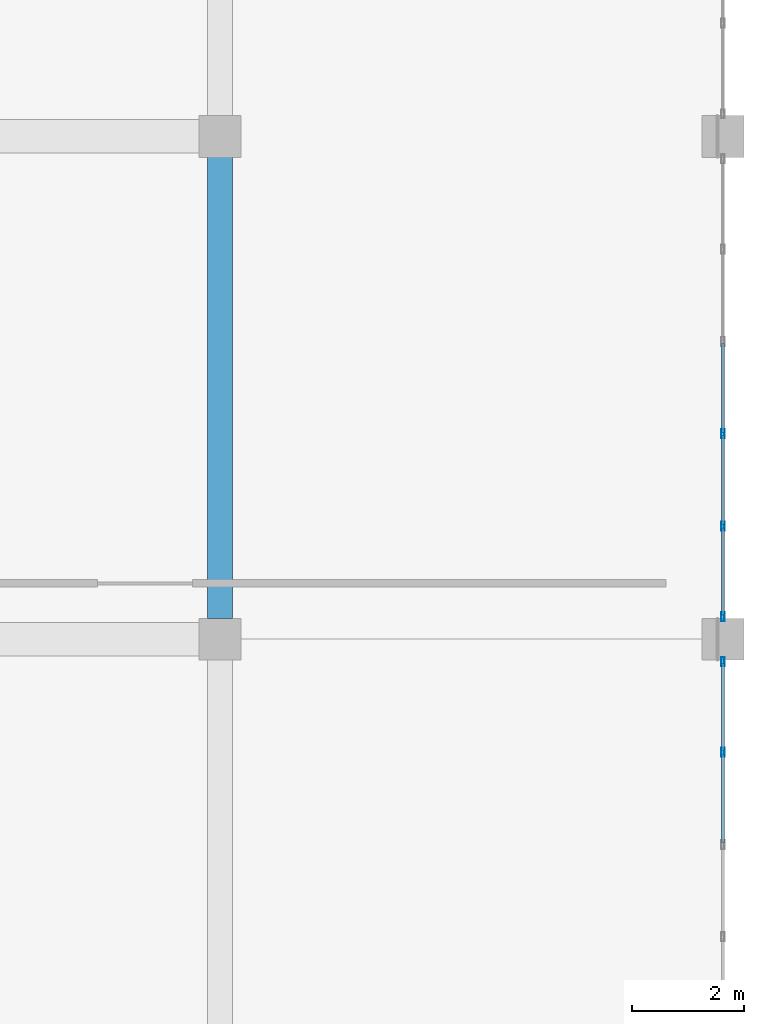
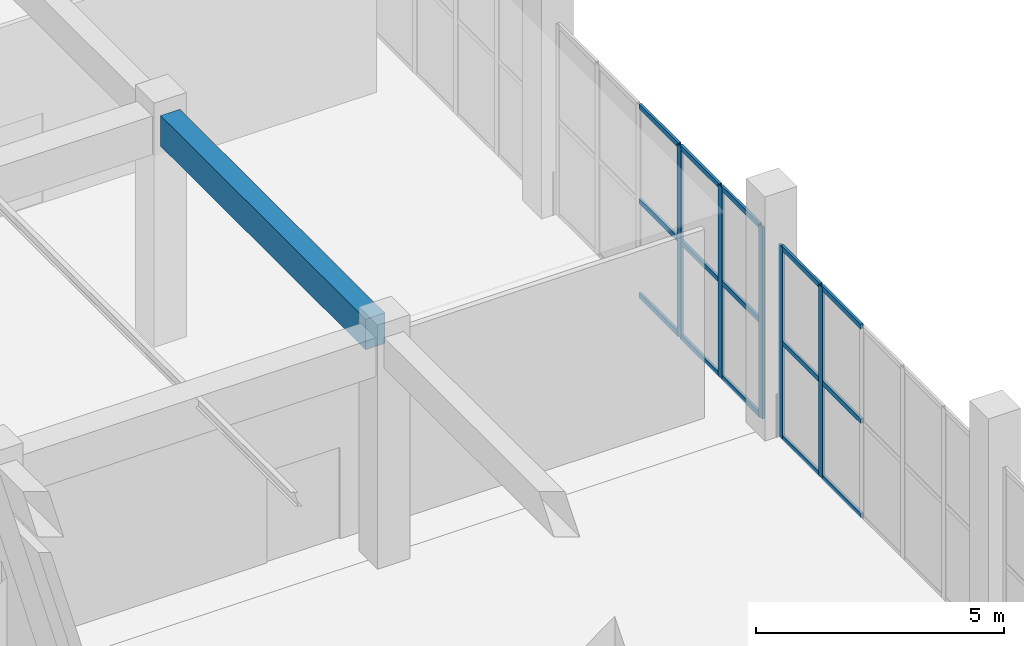
# One storey, part 71 of 223: 20 members, 1 beam, 2 elements without a shape of their own.
"""IFC4 building model written with IfcOpenShell, lengths in metres."""

from ifc_helpers import new_model, si_unit, direction, frame, origin, origin_2d, place, context, subcontext, project, spatial, rectangle, hollow_rectangle, extrude, material, layer, layer_set, material_profile, profile_set, type_object, element, aggregate, save


model = new_model("IFC4")

# Units and contexts
model_context = context("Model", 3, precision=1e-05, world=origin(), true_north=direction((0.0, 1.0)))
body_context = subcontext(model_context, "Body", "Model", "MODEL_VIEW")
ifc_project = project(units=[si_unit("LENGTHUNIT", "METRE"), si_unit("AREAUNIT", "SQUARE_METRE"), si_unit("VOLUMEUNIT", "CUBIC_METRE"), si_unit("PLANEANGLEUNIT", "RADIAN"), si_unit("MASSUNIT", "GRAM", prefix="KILO")], contexts=[model_context])

# Site, building, storey
site_placement = place(None, origin())
site = spatial("IfcSite", under=ifc_project, at=site_placement, CompositionType="ELEMENT")
building_placement = place(site_placement, origin())
building = spatial("IfcBuilding", under=site, at=building_placement, Name="Dornveld Trade and Exhibition Forum", CompositionType="ELEMENT")
storey_placement = place(building_placement, frame((0.0, 0.0, 6.0)))
storey = spatial("IfcBuildingStorey", under=building, at=storey_placement, Name="L01", CompositionType="ELEMENT", Elevation=6.0)

# Beam
ifc_material_1 = material(Name="Precast concrete C50/60", Category="concrete")
ifc_material_profile_1 = material_profile(ifc_material_1, rectangle(XDim=0.449951171875, YDim=0.75, at=origin_2d()), Name="PC-BM 450x750")
ifc_profile_set_1 = profile_set([ifc_material_profile_1], Name="Precast concrete C50/60")
beam_type = type_object("IfcBeamType", Name="BM-PC-450x750", PredefinedType="BEAM", material=ifc_profile_set_1)
beam_placement = place(storey_placement, frame((225.0, 27.37109375, 5.264892578125), z_axis=(0.0, 1.0, 0.0), x_axis=(-1.0, 0.0, 0.0)))
element("IfcBeam", 1, at=beam_placement, inside=storey, type_object=beam_type, Name="L01 Y-girder 1316", PredefinedType="BEAM", context=body_context, shape_type="SweptSolid", body=[
    extrude(rectangle(XDim=0.449951171875, YDim=0.75, at=origin_2d()), origin(), (0.0, 0.0, 1.0), 8.2578125),
])

# Curtain wall, members
ifc_material_2 = material(Name="Dark-bronze anodised aluminium and low-E glass", Category="aluminium")
ifc_layer_1 = layer(ifc_material_2, 0.196044921875)
ifc_layer_set_1 = layer_set([ifc_layer_1], Name="Dark-bronze anodised aluminium and low-E glass")
curtain_wall_type_1 = type_object("IfcCurtainWallType", Name="CW-SYS-18", PredefinedType="USERDEFINED", material=ifc_layer_set_1)
curtain_wall_1_placement = place(storey_placement, origin())
curtain_wall_1 = element("IfcCurtainWall", 2, at=curtain_wall_1_placement, inside=storey, type_object=curtain_wall_type_1, Name="L01 unitised curtain wall 72", ObjectType="UNITISED_CURTAIN_WALL", PredefinedType="USERDEFINED")
ifc_material_3 = material(Name="Dark-bronze anodised aluminium", Category="aluminium")
ifc_material_profile_2 = material_profile(ifc_material_3, hollow_rectangle(XDim=0.06005859375, YDim=0.159912109375, WallThickness=0.00390625, at=origin_2d()), Name="RHS 160x60x4")
ifc_profile_set_2 = profile_set([ifc_material_profile_2], Name="Dark-bronze anodised aluminium")
member_type_1 = type_object("IfcMemberType", Name="CW-MUL-160", PredefinedType="MULLION", material=ifc_profile_set_2)
member_1_placement = place(storey_placement, frame((234.0, 24.977294921875, -0.00390625), z_axis=(0.0, 0.0, 1.0), x_axis=(-1.0, 0.0, 0.0)))
member_1 = element("IfcMember", 3, at=member_1_placement, type_object=member_type_1, Name="CW-18 mullion 5", PredefinedType="MULLION", context=body_context, shape_type="SweptSolid", body=[
    extrude(hollow_rectangle(XDim=0.06005859375, YDim=0.159912109375, WallThickness=0.00390625, at=origin_2d()), origin(), (0.0, 0.0, 1.0), 4.703857421875),
])
member_2_placement = place(storey_placement, frame((234.0, 26.59912109375, -0.00390625), z_axis=(0.0, 0.0, 1.0), x_axis=(-1.0, 0.0, 0.0)))
member_2 = element("IfcMember", 4, at=member_2_placement, type_object=member_type_1, Name="CW-18 mullion 6", PredefinedType="MULLION", context=body_context, shape_type="SweptSolid", body=[
    extrude(hollow_rectangle(XDim=0.06005859375, YDim=0.159912109375, WallThickness=0.00390625, at=origin_2d()), origin(), (0.0, 0.0, 1.0), 4.703857421875),
])

ifc_material_4 = material(Name="Dark-bronze anodised aluminium and low-E glass", Category="aluminium")
ifc_layer_2 = layer(ifc_material_4, 0.14501953125)
ifc_layer_set_2 = layer_set([ifc_layer_2], Name="Dark-bronze anodised aluminium and low-E glass")
curtain_wall_type_2 = type_object("IfcCurtainWallType", Name="CW-SYS-01", PredefinedType="USERDEFINED", material=ifc_layer_set_2)
curtain_wall_2_placement = place(storey_placement, origin())
curtain_wall_2 = element("IfcCurtainWall", 5, at=curtain_wall_2_placement, inside=storey, type_object=curtain_wall_type_2, Name="L01 unitised curtain wall 73", ObjectType="UNITISED_CURTAIN_WALL", PredefinedType="USERDEFINED")
member_3_placement = place(storey_placement, frame((234.0, 27.40087890625, -0.00390625), z_axis=(0.0, 0.0, 1.0), x_axis=(-1.0, 0.0, 0.0)))
member_3 = element("IfcMember", 6, at=member_3_placement, type_object=member_type_1, Name="CW-01 mullion 1", PredefinedType="MULLION", context=body_context, shape_type="SweptSolid", body=[
    extrude(hollow_rectangle(XDim=0.06005859375, YDim=0.159912109375, WallThickness=0.00390625, at=origin_2d()), origin(), (0.0, 0.0, 1.0), 4.703857421875),
])
member_4_placement = place(storey_placement, frame((234.0, 29.022705078125, -0.00390625), z_axis=(0.0, 0.0, 1.0), x_axis=(-1.0, 0.0, 0.0)))
member_4 = element("IfcMember", 7, at=member_4_placement, type_object=member_type_1, Name="CW-01 mullion 2", PredefinedType="MULLION", context=body_context, shape_type="SweptSolid", body=[
    extrude(hollow_rectangle(XDim=0.06005859375, YDim=0.159912109375, WallThickness=0.00390625, at=origin_2d()), origin(), (0.0, 0.0, 1.0), 4.703857421875),
])
member_5_placement = place(storey_placement, frame((234.0, 30.67431640625, -0.00390625), z_axis=(0.0, 0.0, 1.0), x_axis=(-1.0, 0.0, 0.0)))
member_5 = element("IfcMember", 8, at=member_5_placement, type_object=member_type_1, Name="CW-01 mullion 3", PredefinedType="MULLION", context=body_context, shape_type="SweptSolid", body=[
    extrude(hollow_rectangle(XDim=0.06005859375, YDim=0.159912109375, WallThickness=0.00390625, at=origin_2d()), origin(), (0.0, 0.0, 1.0), 4.703857421875),
])

# Member
ifc_material_5 = material(Name="Dark-bronze anodised aluminium", Category="aluminium")
ifc_material_profile_3 = material_profile(ifc_material_5, hollow_rectangle(XDim=0.06005859375, YDim=0.1201171875, WallThickness=0.00390625, at=origin_2d()), Name="RHS 120x60x4")
ifc_profile_set_3 = profile_set([ifc_material_profile_3], Name="Dark-bronze anodised aluminium")
member_type_2 = type_object("IfcMemberType", Name="CW-TRN-120", PredefinedType="USERDEFINED", material=ifc_profile_set_3)
member_6_placement = place(storey_placement, frame((234.0, 23.355712890625, 0.02587890625), z_axis=(0.0, 1.0, 0.0), x_axis=(-1.0, 0.0, 0.0)))
member_6 = element("IfcMember", 9, at=member_6_placement, type_object=member_type_2, Name="CW-18 transom 4.1", ObjectType="TRANSOM", PredefinedType="USERDEFINED", context=body_context, shape_type="SweptSolid", body=[
    extrude(hollow_rectangle(XDim=0.06005859375, YDim=0.1201171875, WallThickness=0.00390625, at=origin_2d()), origin(), (0.0, 0.0, 1.0), 1.591796875),
])

member_7_placement = place(storey_placement, frame((234.0, 23.355712890625, 2.347900390625), z_axis=(0.0, 1.0, 0.0), x_axis=(-1.0, 0.0, 0.0)))
member_7 = element("IfcMember", 10, at=member_7_placement, type_object=member_type_2, Name="CW-18 transom 4.2", ObjectType="TRANSOM", PredefinedType="USERDEFINED", context=body_context, shape_type="SweptSolid", body=[
    extrude(hollow_rectangle(XDim=0.06005859375, YDim=0.1201171875, WallThickness=0.00390625, at=origin_2d()), origin(), (0.0, 0.0, 1.0), 1.591796875),
])

member_8_placement = place(storey_placement, frame((234.0, 23.355712890625, 4.669921875), z_axis=(0.0, 1.0, 0.0), x_axis=(-1.0, 0.0, 0.0)))
member_8 = element("IfcMember", 11, at=member_8_placement, type_object=member_type_2, Name="CW-18 transom 4.3", ObjectType="TRANSOM", PredefinedType="USERDEFINED", context=body_context, shape_type="SweptSolid", body=[
    extrude(hollow_rectangle(XDim=0.06005859375, YDim=0.1201171875, WallThickness=0.00390625, at=origin_2d()), origin(), (0.0, 0.0, 1.0), 1.591796875),
])

member_9_placement = place(storey_placement, frame((234.0, 25.00732421875, 0.02587890625), z_axis=(0.0, 1.0, 0.0), x_axis=(-1.0, 0.0, 0.0)))
member_9 = element("IfcMember", 12, at=member_9_placement, type_object=member_type_2, Name="CW-18 transom 5.1", ObjectType="TRANSOM", PredefinedType="USERDEFINED", context=body_context, shape_type="SweptSolid", body=[
    extrude(hollow_rectangle(XDim=0.06005859375, YDim=0.1201171875, WallThickness=0.00390625, at=origin_2d()), origin(), (0.0, 0.0, 1.0), 1.561767578125),
])

member_10_placement = place(storey_placement, frame((234.0, 25.00732421875, 2.347900390625), z_axis=(0.0, 1.0, 0.0), x_axis=(-1.0, 0.0, 0.0)))
member_10 = element("IfcMember", 13, at=member_10_placement, type_object=member_type_2, Name="CW-18 transom 5.2", ObjectType="TRANSOM", PredefinedType="USERDEFINED", context=body_context, shape_type="SweptSolid", body=[
    extrude(hollow_rectangle(XDim=0.06005859375, YDim=0.1201171875, WallThickness=0.00390625, at=origin_2d()), origin(), (0.0, 0.0, 1.0), 1.561767578125),
])

member_11_placement = place(storey_placement, frame((234.0, 25.00732421875, 4.669921875), z_axis=(0.0, 1.0, 0.0), x_axis=(-1.0, 0.0, 0.0)))
member_11 = element("IfcMember", 14, at=member_11_placement, type_object=member_type_2, Name="CW-18 transom 5.3", ObjectType="TRANSOM", PredefinedType="USERDEFINED", context=body_context, shape_type="SweptSolid", body=[
    extrude(hollow_rectangle(XDim=0.06005859375, YDim=0.1201171875, WallThickness=0.00390625, at=origin_2d()), origin(), (0.0, 0.0, 1.0), 1.561767578125),
])

aggregate(curtain_wall_1, [member_1, member_2, member_6, member_7, member_8, member_9, member_10, member_11])

member_12_placement = place(storey_placement, frame((234.0, 27.430908203125, 0.02587890625), z_axis=(0.0, 1.0, 0.0), x_axis=(-1.0, 0.0, 0.0)))
member_12 = element("IfcMember", 15, at=member_12_placement, type_object=member_type_2, Name="CW-01 transom 1.1", ObjectType="TRANSOM", PredefinedType="USERDEFINED", context=body_context, shape_type="SweptSolid", body=[
    extrude(hollow_rectangle(XDim=0.06005859375, YDim=0.1201171875, WallThickness=0.00390625, at=origin_2d()), origin(), (0.0, 0.0, 1.0), 1.561767578125),
])

member_13_placement = place(storey_placement, frame((234.0, 27.430908203125, 2.347900390625), z_axis=(0.0, 1.0, 0.0), x_axis=(-1.0, 0.0, 0.0)))
member_13 = element("IfcMember", 16, at=member_13_placement, type_object=member_type_2, Name="CW-01 transom 1.2", ObjectType="TRANSOM", PredefinedType="USERDEFINED", context=body_context, shape_type="SweptSolid", body=[
    extrude(hollow_rectangle(XDim=0.06005859375, YDim=0.1201171875, WallThickness=0.00390625, at=origin_2d()), origin(), (0.0, 0.0, 1.0), 1.561767578125),
])

member_14_placement = place(storey_placement, frame((234.0, 27.430908203125, 4.669921875), z_axis=(0.0, 1.0, 0.0), x_axis=(-1.0, 0.0, 0.0)))
member_14 = element("IfcMember", 17, at=member_14_placement, type_object=member_type_2, Name="CW-01 transom 1.3", ObjectType="TRANSOM", PredefinedType="USERDEFINED", context=body_context, shape_type="SweptSolid", body=[
    extrude(hollow_rectangle(XDim=0.06005859375, YDim=0.1201171875, WallThickness=0.00390625, at=origin_2d()), origin(), (0.0, 0.0, 1.0), 1.561767578125),
])

member_15_placement = place(storey_placement, frame((234.0, 29.052490234375, 0.02587890625), z_axis=(0.0, 1.0, 0.0), x_axis=(-1.0, 0.0, 0.0)))
member_15 = element("IfcMember", 18, at=member_15_placement, type_object=member_type_2, Name="CW-01 transom 2.1", ObjectType="TRANSOM", PredefinedType="USERDEFINED", context=body_context, shape_type="SweptSolid", body=[
    extrude(hollow_rectangle(XDim=0.06005859375, YDim=0.1201171875, WallThickness=0.00390625, at=origin_2d()), origin(), (0.0, 0.0, 1.0), 1.591796875),
])

member_16_placement = place(storey_placement, frame((234.0, 29.052490234375, 2.347900390625), z_axis=(0.0, 1.0, 0.0), x_axis=(-1.0, 0.0, 0.0)))
member_16 = element("IfcMember", 19, at=member_16_placement, type_object=member_type_2, Name="CW-01 transom 2.2", ObjectType="TRANSOM", PredefinedType="USERDEFINED", context=body_context, shape_type="SweptSolid", body=[
    extrude(hollow_rectangle(XDim=0.06005859375, YDim=0.1201171875, WallThickness=0.00390625, at=origin_2d()), origin(), (0.0, 0.0, 1.0), 1.591796875),
])

member_17_placement = place(storey_placement, frame((234.0, 29.052490234375, 4.669921875), z_axis=(0.0, 1.0, 0.0), x_axis=(-1.0, 0.0, 0.0)))
member_17 = element("IfcMember", 20, at=member_17_placement, type_object=member_type_2, Name="CW-01 transom 2.3", ObjectType="TRANSOM", PredefinedType="USERDEFINED", context=body_context, shape_type="SweptSolid", body=[
    extrude(hollow_rectangle(XDim=0.06005859375, YDim=0.1201171875, WallThickness=0.00390625, at=origin_2d()), origin(), (0.0, 0.0, 1.0), 1.591796875),
])

member_18_placement = place(storey_placement, frame((234.0, 30.7041015625, 0.02587890625), z_axis=(0.0, 1.0, 0.0), x_axis=(-1.0, 0.0, 0.0)))
member_18 = element("IfcMember", 21, at=member_18_placement, type_object=member_type_2, Name="CW-01 transom 3.1", ObjectType="TRANSOM", PredefinedType="USERDEFINED", context=body_context, shape_type="SweptSolid", body=[
    extrude(hollow_rectangle(XDim=0.06005859375, YDim=0.1201171875, WallThickness=0.00390625, at=origin_2d()), origin(), (0.0, 0.0, 1.0), 1.591796875),
])

member_19_placement = place(storey_placement, frame((234.0, 30.7041015625, 2.347900390625), z_axis=(0.0, 1.0, 0.0), x_axis=(-1.0, 0.0, 0.0)))
member_19 = element("IfcMember", 22, at=member_19_placement, type_object=member_type_2, Name="CW-01 transom 3.2", ObjectType="TRANSOM", PredefinedType="USERDEFINED", context=body_context, shape_type="SweptSolid", body=[
    extrude(hollow_rectangle(XDim=0.06005859375, YDim=0.1201171875, WallThickness=0.00390625, at=origin_2d()), origin(), (0.0, 0.0, 1.0), 1.591796875),
])

member_20_placement = place(storey_placement, frame((234.0, 30.7041015625, 4.669921875), z_axis=(0.0, 1.0, 0.0), x_axis=(-1.0, 0.0, 0.0)))
member_20 = element("IfcMember", 23, at=member_20_placement, type_object=member_type_2, Name="CW-01 transom 3.3", ObjectType="TRANSOM", PredefinedType="USERDEFINED", context=body_context, shape_type="SweptSolid", body=[
    extrude(hollow_rectangle(XDim=0.06005859375, YDim=0.1201171875, WallThickness=0.00390625, at=origin_2d()), origin(), (0.0, 0.0, 1.0), 1.591796875),
])

aggregate(curtain_wall_2, [member_3, member_4, member_5, member_12, member_13, member_14, member_15, member_16, member_17, member_18, member_19, member_20])

save(model, "model.ifc")
